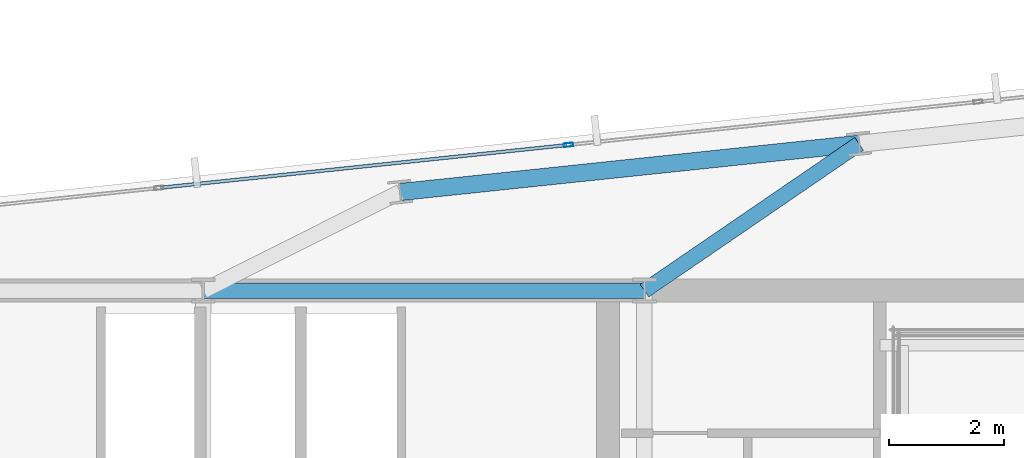
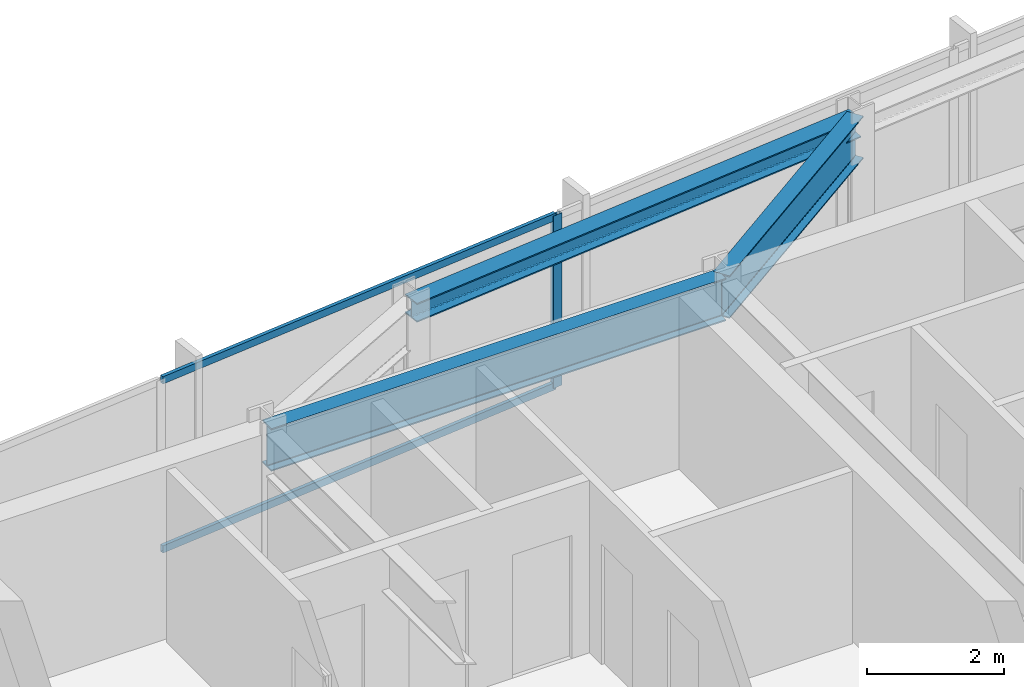
# One storey, part 22 of 33: 3 beams, 3 members, 1 element without a shape of its own.
"""IFC4 building model written with IfcOpenShell, lengths in metres."""

import ifcopenshell
import ifcopenshell.guid

model = None  # the IFC model being written
_history = None  # IfcOwnerHistory: only IFC2X3 demands one
_inside = {}  # id of a spatial element -> (the spatial element, [elements in it])
_under = {}  # id of a project, library or spatial element -> (it, [spatial elements below it])
_declared = {}  # id of a project -> (the project, [libraries it declares])
_typed = {}  # id of a type object -> (the type object, [elements of that type])
_made_of = {}  # id of a material, layer set ... -> (it, [elements and type objects made of it])


def new_model(schema):
    """Start an empty IFC model of exactly this schema.

    Asked for "IFC4X3", IfcOpenShell would pick the latest addendum, in which some entities
    have other attributes; the version numbers below select the first issue.
    IFC2X3 requires an IfcOwnerHistory on every rooted entity: one is made here for all.
    """
    global model, _history
    if schema == "IFC4X3":
        model = ifcopenshell.file(schema_version=(4, 3, 0, 0))
    else:
        model = ifcopenshell.file(schema=schema)
    _inside.clear()
    _under.clear()
    _declared.clear()
    _typed.clear()
    _made_of.clear()
    _history = None
    if model.schema == "IFC2X3":
        org = make("IfcOrganization", Name="unknown")
        user = make(
            "IfcPersonAndOrganization",
            ThePerson=make("IfcPerson", FamilyName="unknown"),
            TheOrganization=org,
        )
        app = make(
            "IfcApplication",
            ApplicationDeveloper=org,
            Version="unknown",
            ApplicationFullName="unknown",
            ApplicationIdentifier="unknown",
        )
        _history = make(
            "IfcOwnerHistory",
            OwningUser=user,
            OwningApplication=app,
            ChangeAction="ADDED",
            CreationDate=0,
        )
    return model


def make(cls, **values):
    """One entity of the class cls with the attributes given. An attribute that is None is left unset."""
    return model.create_entity(
        cls, **{name: value for name, value in values.items() if value is not None}
    )


def rooted(cls, **values):
    """An entity with a GlobalId (a new one), such as an element, a storey or a relation."""
    return make(cls, GlobalId=ifcopenshell.guid.new(), OwnerHistory=_history, **values)


def si_unit(unit_type, name, prefix=None):
    """IfcSIUnit, for example si_unit("LENGTHUNIT", "METRE", prefix="MILLI")."""
    return make("IfcSIUnit", UnitType=unit_type, Prefix=prefix, Name=name)


def assignment(units):
    """IfcUnitAssignment: the units of a project."""
    return None if units is None else make("IfcUnitAssignment", Units=units)


def point(xyz):
    """IfcCartesianPoint."""
    return None if xyz is None else make("IfcCartesianPoint", Coordinates=xyz)


def direction(xyz):
    """IfcDirection."""
    return None if xyz is None else make("IfcDirection", DirectionRatios=xyz)


def frame(location, z_axis=None, x_axis=None):
    """IfcAxis2Placement3D, a coordinate frame: its origin and axes. An axis left out is left unset."""
    return make(
        "IfcAxis2Placement3D",
        Location=point(location),
        Axis=direction(z_axis),
        RefDirection=direction(x_axis),
    )


def frame_2d(location, x_axis=None):
    """IfcAxis2Placement2D, a coordinate frame in the plane: its origin and x axis."""
    return make(
        "IfcAxis2Placement2D", Location=point(location), RefDirection=direction(x_axis)
    )


def origin():
    """The frame at (0, 0, 0) with its axes left unset."""
    return frame((0.0, 0.0, 0.0))


def origin_2d():
    """The frame at (0, 0) in the plane with its x axis left unset."""
    return frame_2d((0.0, 0.0))


def place(relative_to, where):
    """IfcLocalPlacement: puts the frame where relative to a parent placement (None: the world)."""
    return make(
        "IfcLocalPlacement", PlacementRelTo=relative_to, RelativePlacement=where
    )


def context(
    kind, dimensions, precision=None, world=None, true_north=None, identifier=None
):
    """IfcGeometricRepresentationContext, for example the 3D "Model" context."""
    return make(
        "IfcGeometricRepresentationContext",
        ContextIdentifier=identifier,
        ContextType=kind,
        CoordinateSpaceDimension=dimensions,
        Precision=precision,
        WorldCoordinateSystem=world,
        TrueNorth=true_north,
    )


def subcontext(parent, identifier, kind, view, scale=None):
    """IfcGeometricRepresentationSubContext, for example "Body" below "Model"."""
    return make(
        "IfcGeometricRepresentationSubContext",
        ContextIdentifier=identifier,
        ContextType=kind,
        ParentContext=parent,
        TargetScale=scale,
        TargetView=view,
    )


def project(units=None, contexts=None):
    """IfcProject with its units and contexts."""
    return rooted(
        "IfcProject",
        Name="project",
        RepresentationContexts=contexts,
        UnitsInContext=assignment(units),
    )


def spatial(cls, under=None, at=None, **own):
    """A site, building, storey or space (cls), placed at a placement, below another one or the project."""
    s = rooted(cls, ObjectPlacement=at, **own)
    if under is not None:
        _under.setdefault(under.id(), (under, []))[1].append(s)
    return s


def profile(cls, at=None, kind="AREA", **sizes):
    """A parametric profile (cls). Its sizes go by their IFC names, for example OverallWidth=200.0."""
    return make(cls, ProfileType=kind, Position=at, **sizes)


def hollow_rectangle(**sizes):
    """IfcRectangleHollowProfileDef."""
    return profile("IfcRectangleHollowProfileDef", **sizes)


def i_section(**sizes):
    """IfcIShapeProfileDef."""
    return profile("IfcIShapeProfileDef", **sizes)


def extrude(swept, where, along, depth):
    """IfcExtrudedAreaSolid: the profile swept, set in the frame where, extruded along a direction by depth."""
    return make(
        "IfcExtrudedAreaSolid",
        SweptArea=swept,
        Position=where,
        ExtrudedDirection=direction(along),
        Depth=depth,
    )


def shape(context_of_items, identifier, shape_type, items):
    """IfcShapeRepresentation: the items that make up one representation, for example the "Body"."""
    return make(
        "IfcShapeRepresentation",
        ContextOfItems=context_of_items,
        RepresentationIdentifier=identifier,
        RepresentationType=shape_type,
        Items=items,
    )


def material(Name=None, Category=None):
    """IfcMaterial."""
    return make("IfcMaterial", Name=Name, Category=Category)


def material_profile(
    of_material, cross_section, Name=None, Category=None, Priority=None
):
    """IfcMaterialProfile: a cross section and its material."""
    return make(
        "IfcMaterialProfile",
        Name=Name,
        Material=of_material,
        Profile=cross_section,
        Priority=Priority,
        Category=Category,
    )


def profile_set(profiles, Name=None, composite=None):
    """IfcMaterialProfileSet."""
    return make(
        "IfcMaterialProfileSet",
        Name=Name,
        MaterialProfiles=profiles,
        CompositeProfile=composite,
    )


def made_of(thing, what):
    """Note that an element or type object is made of a material, layer set ...; save() writes the relation."""
    if what is not None:
        _made_of.setdefault(what.id(), (what, []))[1].append(thing)
    return thing


def type_object(cls, material=None, **own):
    """A type object (cls), such as IfcWallType, which elements share."""
    return made_of(rooted(cls, **own), material)


def element(
    cls,
    number,
    at=None,
    inside=None,
    cuts=None,
    type_object=None,
    material=None,
    context=None,
    identifier="Body",
    shape_type=None,
    held_by="IfcProductDefinitionShape",
    body=None,
    shapes=None,
    **own,
):
    """One element of the class cls, such as IfcWall. Its Tag is "e" and its number.

    at: its placement. inside: the storey or other place that contains it. cuts: it is an
    opening in that element (IfcRelVoidsElement). A single representation is given by context,
    identifier, shape_type and body (its items); several are given by shapes. held_by: the class
    of the entity that holds the representations. save() writes the other relations.
    """
    e = rooted(cls, Tag="e%d" % number, ObjectPlacement=at, **own)
    if body is not None:
        shapes = [shape(context, identifier, shape_type, body)]
    if shapes is not None:
        e.Representation = make(held_by, Representations=shapes)
    if inside is not None:
        _inside.setdefault(inside.id(), (inside, []))[1].append(e)
    if cuts is not None:
        rooted(
            "IfcRelVoidsElement", RelatingBuildingElement=cuts, RelatedOpeningElement=e
        )
    if type_object is not None:
        _typed.setdefault(type_object.id(), (type_object, []))[1].append(e)
    return made_of(e, material)


def aggregate(whole, parts):
    """IfcRelAggregates: a whole, such as a stair, and the parts it consists of."""
    return rooted("IfcRelAggregates", RelatingObject=whole, RelatedObjects=parts)


def save(model, path):
    """Write the relations noted so far, then the file.

    IfcRelAggregates (storeys below a building ...), IfcRelContainedInSpatialStructure (elements
    in a storey), IfcRelDefinesByType, IfcRelAssociatesMaterial and IfcRelDeclares: one each for
    every whole, place, type object, material and project.
    """
    for whole, parts in _under.values():
        aggregate(whole, parts)
    for where, things in _inside.values():
        rooted(
            "IfcRelContainedInSpatialStructure",
            RelatedElements=things,
            RelatingStructure=where,
        )
    for kind, things in _typed.values():
        rooted("IfcRelDefinesByType", RelatedObjects=things, RelatingType=kind)
    for what, things in _made_of.values():
        rooted("IfcRelAssociatesMaterial", RelatedObjects=things, RelatingMaterial=what)
    for by, libraries in _declared.values():
        rooted("IfcRelDeclares", RelatingContext=by, RelatedDefinitions=libraries)
    model.write(path)


model = new_model("IFC4")

# Units and contexts
model_context = context("Model", 3, precision=1e-05, world=origin(), true_north=direction((0.0, 1.0)))
body_context = subcontext(model_context, "Body", "Model", "MODEL_VIEW")
ifc_project = project(units=[si_unit("LENGTHUNIT", "METRE"), si_unit("AREAUNIT", "SQUARE_METRE"), si_unit("VOLUMEUNIT", "CUBIC_METRE"), si_unit("PLANEANGLEUNIT", "RADIAN"), si_unit("MASSUNIT", "GRAM", prefix="KILO")], contexts=[model_context])

# Site, building, storey
site_placement = place(None, origin())
site = spatial("IfcSite", under=ifc_project, at=site_placement, CompositionType="ELEMENT")
building_placement = place(site_placement, origin())
building = spatial("IfcBuilding", under=site, at=building_placement, Name="Yelkora Congress Tower", CompositionType="ELEMENT")
storey_placement = place(building_placement, frame((0.0, 0.0, 237.5)))
storey = spatial("IfcBuildingStorey", under=building, at=storey_placement, Name="L66", CompositionType="ELEMENT", Elevation=237.5)

# Beams
ifc_material_1 = material(Name="Steel S355J2", Category="steel")
ifc_material_profile_1 = material_profile(ifc_material_1, i_section(OverallWidth=0.26708984375, OverallDepth=0.761962890625, WebThickness=0.014404296875, FlangeThickness=0.021484375, FilletRadius=0.01708984375, at=origin_2d()), Name="IPE 750x173")
ifc_profile_set_1 = profile_set([ifc_material_profile_1], Name="Steel S355J2")
beam_type_1 = type_object("IfcBeamType", Name="BM-GIRD-IPE750", PredefinedType="BEAM", material=ifc_profile_set_1)
beam_1_placement = place(storey_placement, frame((38.39990234375, 46.199951171875, 2.698974609375), z_axis=(1.0, 0.0, 0.0), x_axis=(0.0, 1.0, 0.0)))
element("IfcBeam", 1, at=beam_1_placement, inside=storey, type_object=beam_type_1, Name="L66 Core North Girder 4", PredefinedType="BEAM", context=body_context, shape_type="SweptSolid", body=[
    extrude(i_section(OverallWidth=0.26708984375, OverallDepth=0.761962890625, WebThickness=0.014404296875, FlangeThickness=0.021484375, FilletRadius=0.01708984375, at=origin_2d()), origin(), (0.0, 0.0, 1.0), 7.68017578125),
])
beam_2_placement = place(storey_placement, frame((49.8173828125, 48.757080078125, 2.698974609375), z_axis=(-0.825304616438, -0.564687781067, 0.0), x_axis=(0.564687781067, -0.825304616438, 0.0)))
element("IfcBeam", 2, at=beam_2_placement, inside=storey, type_object=beam_type_1, Name="L66 Primary Frame Girder N05", PredefinedType="BEAM", context=body_context, shape_type="SweptSolid", body=[
    extrude(i_section(OverallWidth=0.26708984375, OverallDepth=0.761962890625, WebThickness=0.014404296875, FlangeThickness=0.021484375, FilletRadius=0.01708984375, at=origin_2d()), origin(), (0.0, 0.0, 1.0), 4.5283203125),
])
ifc_material_profile_2 = material_profile(ifc_material_1, i_section(OverallWidth=0.300048828125, OverallDepth=0.340087890625, WebThickness=0.011962890625, FlangeThickness=0.021484375, FilletRadius=0.027099609375, at=origin_2d()), Name="HEB 340")
ifc_profile_set_2 = profile_set([ifc_material_profile_2], Name="Steel S355J2")
beam_type_2 = type_object("IfcBeamType", Name="BM-SPAN-HEB340", PredefinedType="SPANDREL", material=ifc_profile_set_2)
beam_3_placement = place(storey_placement, frame((49.8173828125, 48.757080078125, 2.909912109375), z_axis=(-0.994523256947, -0.104515507904, 0.0), x_axis=(0.104515507904, -0.994523256947, 0.0)))
element("IfcBeam", 3, at=beam_3_placement, inside=storey, type_object=beam_type_2, Name="L66 Perimeter Beam 15", PredefinedType="SPANDREL", context=body_context, shape_type="SweptSolid", body=[
    extrude(i_section(OverallWidth=0.300048828125, OverallDepth=0.340087890625, WebThickness=0.011962890625, FlangeThickness=0.021484375, FilletRadius=0.027099609375, at=origin_2d()), origin(), (0.0, 0.0, 1.0), 8.033203125),
])

# Curtain wall, members
ifc_material_2 = material(Name="Anodised aluminium and insulated glass", Category="aluminium")
curtain_wall_type = type_object("IfcCurtainWallType", Name="CW-SYS-B4", PredefinedType="NOTDEFINED", material=ifc_material_2)
curtain_wall_placement = place(storey_placement, origin())
curtain_wall = element("IfcCurtainWall", 4, at=curtain_wall_placement, inside=storey, type_object=curtain_wall_type, Name="L66 Unitised Curtain Wall 10 (3)", PredefinedType="NOTDEFINED")
ifc_material_3 = material(Name="Anodised aluminium 6063-T6", Category="aluminium")
ifc_material_profile_3 = material_profile(ifc_material_3, hollow_rectangle(XDim=0.06494140625, YDim=0.159912109375, WallThickness=0.00390625, at=origin_2d()), Name="ALU 65x160x4")
ifc_profile_set_3 = profile_set([ifc_material_profile_3], Name="Anodised aluminium 6063-T6")
member_type_1 = type_object("IfcMemberType", Name="MEM-ML-B4", PredefinedType="MULLION", material=ifc_profile_set_3)
member_1_placement = place(storey_placement, frame((44.75830078125, 48.73828125, 0.0), z_axis=(0.0, 0.0, 1.0), x_axis=(-0.104527724021, 0.994521973066, 0.0)))
member_1 = element("IfcMember", 5, at=member_1_placement, type_object=member_type_1, Name="CW-B4 mullion 4", PredefinedType="MULLION", context=body_context, shape_type="SweptSolid", body=[
    extrude(hollow_rectangle(XDim=0.06494140625, YDim=0.159912109375, WallThickness=0.00390625, at=origin_2d()), origin(), (0.0, 0.0, 1.0), 3.080078125),
])
ifc_material_profile_4 = material_profile(ifc_material_3, hollow_rectangle(XDim=0.06005859375, YDim=0.1298828125, WallThickness=0.00390625, at=origin_2d()), Name="ALU 60x130x4")
ifc_profile_set_4 = profile_set([ifc_material_profile_4], Name="Anodised aluminium 6063-T6")
member_type_2 = type_object("IfcMemberType", Name="MEM-TR-B4", PredefinedType="USERDEFINED", material=ifc_profile_set_4)
member_2_placement = place(storey_placement, frame((37.659912109375, 47.9921875, 0.030029296875), z_axis=(0.994521633799, 0.104530951904, 0.0), x_axis=(-0.104530951904, 0.994521633799, 0.0)))
member_2 = element("IfcMember", 6, at=member_2_placement, type_object=member_type_2, Name="CW-B4 transom 3.1", ObjectType="TRANSOM", PredefinedType="USERDEFINED", context=body_context, shape_type="SweptSolid", body=[
    extrude(hollow_rectangle(XDim=0.06005859375, YDim=0.1298828125, WallThickness=0.00390625, at=origin_2d()), origin(), (0.0, 0.0, 1.0), 7.104736328125),
])
member_3_placement = place(storey_placement, frame((37.659912109375, 47.9921875, 3.050048828125), z_axis=(0.994521633799, 0.104530951904, 0.0), x_axis=(-0.104530951904, 0.994521633799, 0.0)))
member_3 = element("IfcMember", 7, at=member_3_placement, type_object=member_type_2, Name="CW-B4 transom 3.2", ObjectType="TRANSOM", PredefinedType="USERDEFINED", context=body_context, shape_type="SweptSolid", body=[
    extrude(hollow_rectangle(XDim=0.06005859375, YDim=0.1298828125, WallThickness=0.00390625, at=origin_2d()), origin(), (0.0, 0.0, 1.0), 7.104736328125),
])
aggregate(curtain_wall, [member_1, member_2, member_3])

save(model, "model.ifc")
